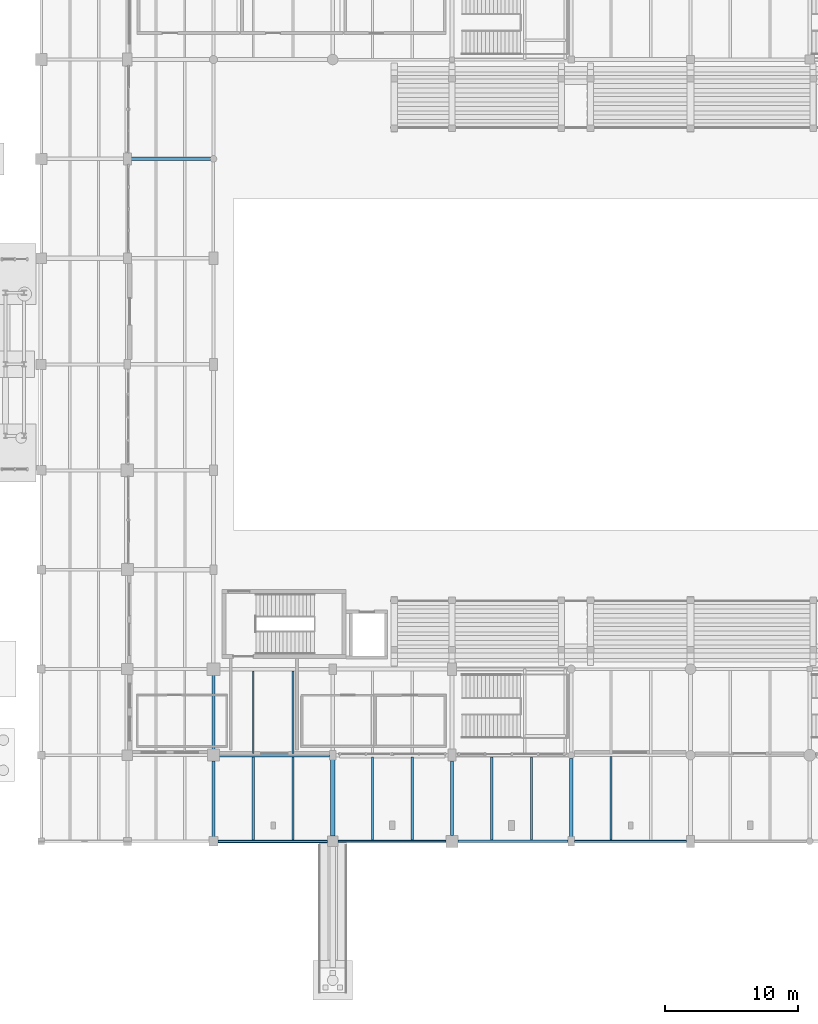
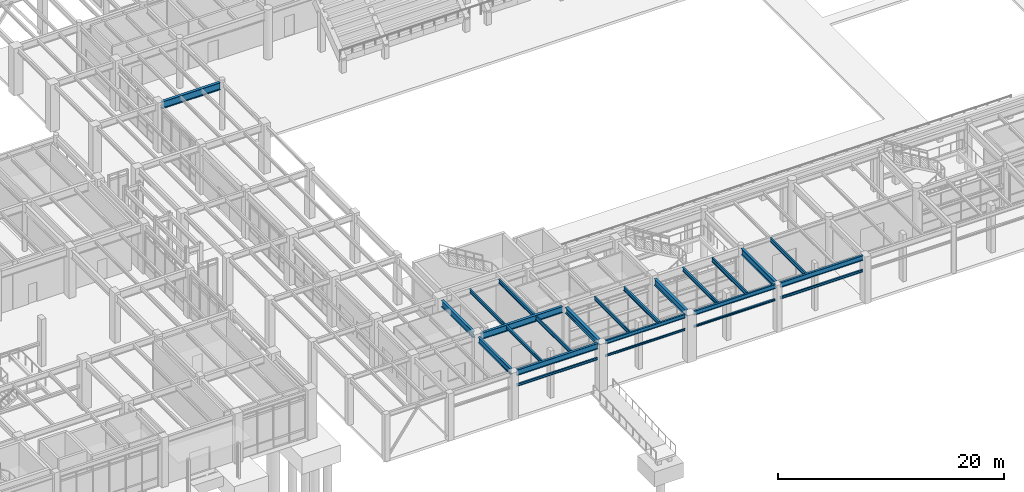
# One storey, part 48 of 203: 24 beams.
"""IFC4 building model written with IfcOpenShell, lengths in metres."""

from ifc_helpers import new_model, si_unit, direction, frame, origin, origin_2d, place, context, subcontext, project, spatial, i_section, extrude, material, material_profile, profile_set, type_object, element, save


model = new_model("IFC4")

# Units and contexts
model_context = context("Model", 3, precision=1e-05, world=origin(), true_north=direction((0.0, 1.0)))
body_context = subcontext(model_context, "Body", "Model", "MODEL_VIEW")
ifc_project = project(units=[si_unit("LENGTHUNIT", "METRE"), si_unit("AREAUNIT", "SQUARE_METRE"), si_unit("VOLUMEUNIT", "CUBIC_METRE"), si_unit("PLANEANGLEUNIT", "RADIAN"), si_unit("MASSUNIT", "GRAM", prefix="KILO"), si_unit("THERMODYNAMICTEMPERATUREUNIT", "KELVIN"), si_unit("POWERUNIT", "WATT")], contexts=[model_context])

# Site, building, storey
site_placement = place(None, origin())
site = spatial("IfcSite", under=ifc_project, at=site_placement, CompositionType="ELEMENT")
building_placement = place(site_placement, origin())
building = spatial("IfcBuilding", under=site, at=building_placement, Name="Tepalcoro Natatorium and Aquatics Centre", CompositionType="ELEMENT")
storey_placement = place(building_placement, origin())
storey = spatial("IfcBuildingStorey", under=building, at=storey_placement, Name="L00", CompositionType="ELEMENT", Elevation=0.0)

# Beams
ifc_material = material(Name="Steel ASTM A992 Grade 50 (Fy 345 MPa)", Category="steel")
ifc_material_profile_1 = material_profile(ifc_material, i_section(OverallWidth=0.324951171875, OverallDepth=0.616943359375, WebThickness=0.013916015625, FlangeThickness=0.02197265625, FilletRadius=0.013916015625, at=origin_2d()), Name="W24X117")
ifc_profile_set_1 = profile_set([ifc_material_profile_1], Name="Steel ASTM A992 Grade 50 (Fy 345 MPa)")
beam_type_1 = type_object("IfcBeamType", Name="BM_W24x117", PredefinedType="BEAM", material=ifc_profile_set_1)
beam_1_placement = place(storey_placement, frame((62.0, 0.385009765625, 4.776611328125), z_axis=(0.0, 1.0, 0.0), x_axis=(-1.0, 0.0, 0.0)))
element("IfcBeam", 1, at=beam_1_placement, inside=storey, type_object=beam_type_1, Name="V1 L00 Grid Girder Y", PredefinedType="BEAM", context=body_context, shape_type="SweptSolid", body=[
    extrude(i_section(OverallWidth=0.324951171875, OverallDepth=0.616943359375, WebThickness=0.013916015625, FlangeThickness=0.02197265625, FilletRadius=0.013916015625, at=origin_2d()), origin(), (0.0, 0.0, 1.0), 5.780029296875),
])
ifc_material_profile_2 = material_profile(ifc_material, i_section(OverallWidth=0.22998046875, OverallDepth=0.616943359375, WebThickness=0.012939453125, FlangeThickness=0.02197265625, FilletRadius=0.013916015625, at=origin_2d()), Name="W24X94")
ifc_profile_set_2 = profile_set([ifc_material_profile_2], Name="Steel ASTM A992 Grade 50 (Fy 345 MPa)")
beam_type_2 = type_object("IfcBeamType", Name="BM_W24x94", PredefinedType="BEAM", material=ifc_profile_set_2)
beam_2_placement = place(storey_placement, frame((53.0, 0.3349609375, 4.776611328125), z_axis=(0.0, 1.0, 0.0), x_axis=(-1.0, 0.0, 0.0)))
element("IfcBeam", 2, at=beam_2_placement, inside=storey, type_object=beam_type_2, Name="V1 L00 Grid Girder Y", PredefinedType="BEAM", context=body_context, shape_type="SweptSolid", body=[
    extrude(i_section(OverallWidth=0.22998046875, OverallDepth=0.616943359375, WebThickness=0.012939453125, FlangeThickness=0.02197265625, FilletRadius=0.013916015625, at=origin_2d()), origin(), (0.0, 0.0, 1.0), 5.72998046875),
])
ifc_material_profile_3 = material_profile(ifc_material, i_section(OverallWidth=0.25390625, OverallDepth=0.68798828125, WebThickness=0.012939453125, FlangeThickness=0.02099609375, FilletRadius=0.013916015625, at=origin_2d()), Name="W27X102")
ifc_profile_set_3 = profile_set([ifc_material_profile_3], Name="Steel ASTM A992 Grade 50 (Fy 345 MPa)")
beam_type_3 = type_object("IfcBeamType", Name="BM_W27x102", PredefinedType="BEAM", material=ifc_profile_set_3)
beam_3_placement = place(storey_placement, frame((53.43505859375, 6.5, 4.740966796875), z_axis=(1.0, 0.0, 0.0), x_axis=(0.0, 1.0, 0.0)))
element("IfcBeam", 3, at=beam_3_placement, inside=storey, type_object=beam_type_3, Name="V1 L00 Grid Girder X", PredefinedType="BEAM", context=body_context, shape_type="SweptSolid", body=[
    extrude(i_section(OverallWidth=0.25390625, OverallDepth=0.68798828125, WebThickness=0.012939453125, FlangeThickness=0.02099609375, FilletRadius=0.013916015625, at=origin_2d()), origin(), (0.0, 0.0, 1.0), 8.329833984375),
])
beam_4_placement = place(storey_placement, frame((53.0, 6.93505859375, 4.781005859375), z_axis=(0.0, 1.0, 0.0), x_axis=(-1.0, 0.0, 0.0)))
element("IfcBeam", 4, at=beam_4_placement, inside=storey, type_object=beam_type_3, Name="V1 L00 Grid Girder Y", PredefinedType="BEAM", context=body_context, shape_type="SweptSolid", body=[
    extrude(i_section(OverallWidth=0.25390625, OverallDepth=0.68798828125, WebThickness=0.012939453125, FlangeThickness=0.02099609375, FilletRadius=0.013916015625, at=origin_2d()), origin(), (0.0, 0.0, 1.0), 5.60498046875),
])
beam_5_placement = place(storey_placement, frame((71.0, 0.43505859375, 4.740966796875), z_axis=(0.0, 1.0, 0.0), x_axis=(-1.0, 0.0, 0.0)))
element("IfcBeam", 5, at=beam_5_placement, inside=storey, type_object=beam_type_3, Name="V1 L00 Grid Girder Y", PredefinedType="BEAM", context=body_context, shape_type="SweptSolid", body=[
    extrude(i_section(OverallWidth=0.25390625, OverallDepth=0.68798828125, WebThickness=0.012939453125, FlangeThickness=0.02099609375, FilletRadius=0.013916015625, at=origin_2d()), origin(), (0.0, 0.0, 1.0), 5.6298828125),
])
ifc_material_profile_4 = material_profile(ifc_material, i_section(OverallWidth=0.25390625, OverallDepth=0.700927734375, WebThickness=0.014892578125, FlangeThickness=0.028076171875, FilletRadius=0.013916015625, at=origin_2d()), Name="W27X129")
ifc_profile_set_4 = profile_set([ifc_material_profile_4], Name="Steel ASTM A992 Grade 50 (Fy 345 MPa)")
beam_type_4 = type_object("IfcBeamType", Name="BM_W27x129", PredefinedType="BEAM", material=ifc_profile_set_4)
beam_6_placement = place(storey_placement, frame((80.0, 0.3349609375, 4.734619140625), z_axis=(0.0, 1.0, 0.0), x_axis=(-1.0, 0.0, 0.0)))
element("IfcBeam", 6, at=beam_6_placement, inside=storey, type_object=beam_type_4, Name="V1 L00 Grid Girder Y", PredefinedType="BEAM", context=body_context, shape_type="SweptSolid", body=[
    extrude(i_section(OverallWidth=0.25390625, OverallDepth=0.700927734375, WebThickness=0.014892578125, FlangeThickness=0.028076171875, FilletRadius=0.013916015625, at=origin_2d()), origin(), (0.0, 0.0, 1.0), 5.929931640625),
])
ifc_material_profile_5 = material_profile(ifc_material, i_section(OverallWidth=0.26708984375, OverallDepth=0.780029296875, WebThickness=0.01708984375, FlangeThickness=0.030029296875, FilletRadius=0.013916015625, at=origin_2d()), Name="W30X148")
ifc_profile_set_5 = profile_set([ifc_material_profile_5], Name="Steel ASTM A992 Grade 50 (Fy 345 MPa)")
beam_type_5 = type_object("IfcBeamType", Name="BM_W30x148", PredefinedType="BEAM", material=ifc_profile_set_5)
beam_7_placement = place(storey_placement, frame((46.784912109375, 51.5, 4.735107421875), z_axis=(1.0, 0.0, 0.0), x_axis=(0.0, 1.0, 0.0)))
element("IfcBeam", 7, at=beam_7_placement, inside=storey, type_object=beam_type_5, Name="V1 L00 Grid Girder X", PredefinedType="BEAM", context=body_context, shape_type="SweptSolid", body=[
    extrude(i_section(OverallWidth=0.26708984375, OverallDepth=0.780029296875, WebThickness=0.01708984375, FlangeThickness=0.030029296875, FilletRadius=0.013916015625, at=origin_2d()), origin(), (0.0, 0.0, 1.0), 5.97998046875),
])
ifc_material_profile_6 = material_profile(ifc_material, i_section(OverallWidth=0.172119140625, OverallDepth=0.35791015625, WebThickness=0.008056640625, FlangeThickness=0.012939453125, FilletRadius=0.013916015625, at=origin_2d()), Name="W14X38")
ifc_profile_set_6 = profile_set([ifc_material_profile_6], Name="Steel ASTM A992 Grade 50 (Fy 345 MPa)")
beam_type_6 = type_object("IfcBeamType", Name="JS_W14x38", PredefinedType="JOIST", material=ifc_profile_set_6)
beam_8_placement = place(storey_placement, frame((56.0, 0.114501953125, 4.906005859375), z_axis=(0.0, 1.0, 0.0), x_axis=(-1.0, 0.0, 0.0)))
element("IfcBeam", 8, at=beam_8_placement, inside=storey, type_object=beam_type_6, Name="V1 L00 Floor Joist", PredefinedType="JOIST", context=body_context, shape_type="SweptSolid", body=[
    extrude(i_section(OverallWidth=0.172119140625, OverallDepth=0.35791015625, WebThickness=0.008056640625, FlangeThickness=0.012939453125, FilletRadius=0.013916015625, at=origin_2d()), origin(), (0.0, 0.0, 1.0), 6.258544921875),
])
ifc_material_profile_7 = material_profile(ifc_material, i_section(OverallWidth=0.139892578125, OverallDepth=0.404052734375, WebThickness=0.007080078125, FlangeThickness=0.010986328125, FilletRadius=0.013916015625, at=origin_2d()), Name="W16X31")
ifc_profile_set_7 = profile_set([ifc_material_profile_7], Name="Steel ASTM A992 Grade 50 (Fy 345 MPa)")
beam_type_7 = type_object("IfcBeamType", Name="JS_W16x31", PredefinedType="JOIST", material=ifc_profile_set_7)
beam_9_placement = place(storey_placement, frame((59.0, 0.114501953125, 4.883056640625), z_axis=(0.0, 1.0, 0.0), x_axis=(-1.0, 0.0, 0.0)))
element("IfcBeam", 9, at=beam_9_placement, inside=storey, type_object=beam_type_7, Name="V1 L00 Floor Joist", PredefinedType="JOIST", context=body_context, shape_type="SweptSolid", body=[
    extrude(i_section(OverallWidth=0.139892578125, OverallDepth=0.404052734375, WebThickness=0.007080078125, FlangeThickness=0.010986328125, FilletRadius=0.013916015625, at=origin_2d()), origin(), (0.0, 0.0, 1.0), 6.258544921875),
])
beam_10_placement = place(storey_placement, frame((56.0, 6.626953125, 4.883056640625), z_axis=(0.0, 1.0, 0.0), x_axis=(-1.0, 0.0, 0.0)))
element("IfcBeam", 10, at=beam_10_placement, inside=storey, type_object=beam_type_7, Name="V1 L00 Floor Joist", PredefinedType="JOIST", context=body_context, shape_type="SweptSolid", body=[
    extrude(i_section(OverallWidth=0.139892578125, OverallDepth=0.404052734375, WebThickness=0.007080078125, FlangeThickness=0.010986328125, FilletRadius=0.013916015625, at=origin_2d()), origin(), (0.0, 0.0, 1.0), 6.24609375),
])
beam_11_placement = place(storey_placement, frame((65.0, 0.090087890625, 4.883056640625), z_axis=(0.0, 1.0, 0.0), x_axis=(-1.0, 0.0, 0.0)))
element("IfcBeam", 11, at=beam_11_placement, inside=storey, type_object=beam_type_7, Name="V1 L00 Floor Joist", PredefinedType="JOIST", context=body_context, shape_type="SweptSolid", body=[
    extrude(i_section(OverallWidth=0.139892578125, OverallDepth=0.404052734375, WebThickness=0.007080078125, FlangeThickness=0.010986328125, FilletRadius=0.013916015625, at=origin_2d()), origin(), (0.0, 0.0, 1.0), 6.2763671875),
])
ifc_material_profile_8 = material_profile(ifc_material, i_section(OverallWidth=0.178955078125, OverallDepth=0.409912109375, WebThickness=0.009033203125, FlangeThickness=0.013916015625, FilletRadius=0.013916015625, at=origin_2d()), Name="W16X45")
ifc_profile_set_8 = profile_set([ifc_material_profile_8], Name="Steel ASTM A992 Grade 50 (Fy 345 MPa)")
beam_type_8 = type_object("IfcBeamType", Name="JS_W16x45", PredefinedType="JOIST", material=ifc_profile_set_8)
beam_12_placement = place(storey_placement, frame((59.0, 6.626953125, 4.8798828125), z_axis=(0.0, 1.0, 0.0), x_axis=(-1.0, 0.0, 0.0)))
element("IfcBeam", 12, at=beam_12_placement, inside=storey, type_object=beam_type_8, Name="V1 L00 Floor Joist", PredefinedType="JOIST", context=body_context, shape_type="SweptSolid", body=[
    extrude(i_section(OverallWidth=0.178955078125, OverallDepth=0.409912109375, WebThickness=0.009033203125, FlangeThickness=0.013916015625, FilletRadius=0.013916015625, at=origin_2d()), origin(), (0.0, 0.0, 1.0), 6.24609375),
])
beam_13_placement = place(storey_placement, frame((68.0, 0.090087890625, 4.8798828125), z_axis=(0.0, 1.0, 0.0), x_axis=(-1.0, 0.0, 0.0)))
element("IfcBeam", 13, at=beam_13_placement, inside=storey, type_object=beam_type_8, Name="V1 L00 Floor Joist", PredefinedType="JOIST", context=body_context, shape_type="SweptSolid", body=[
    extrude(i_section(OverallWidth=0.178955078125, OverallDepth=0.409912109375, WebThickness=0.009033203125, FlangeThickness=0.013916015625, FilletRadius=0.013916015625, at=origin_2d()), origin(), (0.0, 0.0, 1.0), 6.2763671875),
])
beam_14_placement = place(storey_placement, frame((74.0, 0.095458984375, 4.8798828125), z_axis=(0.0, 1.0, 0.0), x_axis=(-1.0, 0.0, 0.0)))
element("IfcBeam", 14, at=beam_14_placement, inside=storey, type_object=beam_type_8, Name="V1 L00 Floor Joist", PredefinedType="JOIST", context=body_context, shape_type="SweptSolid", body=[
    extrude(i_section(OverallWidth=0.178955078125, OverallDepth=0.409912109375, WebThickness=0.009033203125, FlangeThickness=0.013916015625, FilletRadius=0.013916015625, at=origin_2d()), origin(), (0.0, 0.0, 1.0), 6.251953125),
])
ifc_material_profile_9 = material_profile(ifc_material, i_section(OverallWidth=0.153076171875, OverallDepth=0.455078125, WebThickness=0.008056640625, FlangeThickness=0.012939453125, FilletRadius=0.013916015625, at=origin_2d()), Name="W18X40")
ifc_profile_set_9 = profile_set([ifc_material_profile_9], Name="Steel ASTM A992 Grade 50 (Fy 345 MPa)")
beam_type_9 = type_object("IfcBeamType", Name="JS_W18x40", PredefinedType="JOIST", material=ifc_profile_set_9)
beam_15_placement = place(storey_placement, frame((77.0, 0.095458984375, 4.857421875), z_axis=(0.0, 1.0, 0.0), x_axis=(-1.0, 0.0, 0.0)))
element("IfcBeam", 15, at=beam_15_placement, inside=storey, type_object=beam_type_9, Name="V1 L00 Floor Joist", PredefinedType="JOIST", context=body_context, shape_type="SweptSolid", body=[
    extrude(i_section(OverallWidth=0.153076171875, OverallDepth=0.455078125, WebThickness=0.008056640625, FlangeThickness=0.012939453125, FilletRadius=0.013916015625, at=origin_2d()), origin(), (0.0, 0.0, 1.0), 6.251953125),
])
beam_16_placement = place(storey_placement, frame((83.0, 0.10498046875, 4.857421875), z_axis=(0.0, 1.0, 0.0), x_axis=(-1.0, 0.0, 0.0)))
element("IfcBeam", 16, at=beam_16_placement, inside=storey, type_object=beam_type_9, Name="V1 L00 Floor Joist", PredefinedType="JOIST", context=body_context, shape_type="SweptSolid", body=[
    extrude(i_section(OverallWidth=0.153076171875, OverallDepth=0.455078125, WebThickness=0.008056640625, FlangeThickness=0.012939453125, FilletRadius=0.013916015625, at=origin_2d()), origin(), (0.0, 0.0, 1.0), 6.305908203125),
])
ifc_material_profile_10 = material_profile(ifc_material, i_section(OverallWidth=0.133056640625, OverallDepth=0.20703125, WebThickness=0.006103515625, FlangeThickness=0.008056640625, FilletRadius=0.013916015625, at=origin_2d()), Name="W8X18")
ifc_profile_set_10 = profile_set([ifc_material_profile_10], Name="Steel ASTM A992 Grade 50 (Fy 345 MPa)")
beam_type_10 = type_object("IfcBeamType", Name="LN_HSS150x100x8", PredefinedType="LINTEL", material=ifc_profile_set_10)
beam_17_placement = place(storey_placement, frame((62.385009765625, 0.0, 3.39990234375), z_axis=(1.0, 0.0, 0.0), x_axis=(0.0, 1.0, 0.0)))
element("IfcBeam", 17, at=beam_17_placement, inside=storey, type_object=beam_type_10, Name="Colonnade Portico Architrave Lintel", PredefinedType="LINTEL", context=body_context, shape_type="SweptSolid", body=[
    extrude(i_section(OverallWidth=0.133056640625, OverallDepth=0.20703125, WebThickness=0.006103515625, FlangeThickness=0.008056640625, FilletRadius=0.013916015625, at=origin_2d()), origin(), (0.0, 0.0, 1.0), 8.179931640625),
])
ifc_material_profile_11 = material_profile(ifc_material, i_section(OverallWidth=0.1650390625, OverallDepth=0.200927734375, WebThickness=0.006103515625, FlangeThickness=0.010009765625, FilletRadius=0.013916015625, at=origin_2d()), Name="W8X24")
ifc_profile_set_11 = profile_set([ifc_material_profile_11], Name="Steel ASTM A992 Grade 50 (Fy 345 MPa)")
beam_type_11 = type_object("IfcBeamType", Name="LN_HSS200x120x10", PredefinedType="LINTEL", material=ifc_profile_set_11)
beam_18_placement = place(storey_placement, frame((71.43505859375, 0.0, 3.39990234375), z_axis=(1.0, 0.0, 0.0), x_axis=(0.0, 1.0, 0.0)))
element("IfcBeam", 18, at=beam_18_placement, inside=storey, type_object=beam_type_11, Name="Colonnade Portico Architrave Lintel", PredefinedType="LINTEL", context=body_context, shape_type="SweptSolid", body=[
    extrude(i_section(OverallWidth=0.1650390625, OverallDepth=0.200927734375, WebThickness=0.006103515625, FlangeThickness=0.010009765625, FilletRadius=0.013916015625, at=origin_2d()), origin(), (0.0, 0.0, 1.0), 8.329833984375),
])
ifc_material_profile_12 = material_profile(ifc_material, i_section(OverallWidth=0.14599609375, OverallDepth=0.259033203125, WebThickness=0.006103515625, FlangeThickness=0.009033203125, FilletRadius=0.013916015625, at=origin_2d()), Name="W10X22")
ifc_profile_set_12 = profile_set([ifc_material_profile_12], Name="Steel ASTM A992 Grade 50 (Fy 345 MPa)")
beam_type_12 = type_object("IfcBeamType", Name="LN_W10x22", PredefinedType="LINTEL", material=ifc_profile_set_12)
beam_19_placement = place(storey_placement, frame((53.3349609375, 0.0, 3.39990234375), z_axis=(1.0, 0.0, 0.0), x_axis=(0.0, 1.0, 0.0)))
element("IfcBeam", 19, at=beam_19_placement, inside=storey, type_object=beam_type_12, Name="Colonnade Portico Architrave Lintel", PredefinedType="LINTEL", context=body_context, shape_type="SweptSolid", body=[
    extrude(i_section(OverallWidth=0.14599609375, OverallDepth=0.259033203125, WebThickness=0.006103515625, FlangeThickness=0.009033203125, FilletRadius=0.013916015625, at=origin_2d()), origin(), (0.0, 0.0, 1.0), 8.280029296875),
])
beam_20_placement = place(storey_placement, frame((80.235107421875, 0.0, 3.39990234375), z_axis=(1.0, 0.0, 0.0), x_axis=(0.0, 1.0, 0.0)))
element("IfcBeam", 20, at=beam_20_placement, inside=storey, type_object=beam_type_12, Name="Colonnade Portico Architrave Lintel", PredefinedType="LINTEL", context=body_context, shape_type="SweptSolid", body=[
    extrude(i_section(OverallWidth=0.14599609375, OverallDepth=0.259033203125, WebThickness=0.006103515625, FlangeThickness=0.009033203125, FilletRadius=0.013916015625, at=origin_2d()), origin(), (0.0, 0.0, 1.0), 8.47998046875),
])
ifc_material_profile_13 = material_profile(ifc_material, i_section(OverallWidth=0.179931640625, OverallDepth=0.4130859375, WebThickness=0.010009765625, FlangeThickness=0.01611328125, FilletRadius=0.013916015625, at=origin_2d()), Name="W16X50")
ifc_profile_set_13 = profile_set([ifc_material_profile_13], Name="Steel ASTM A992 Grade 50 (Fy 345 MPa)")
beam_type_13 = type_object("IfcBeamType", Name="SP_HSS300x200x12", PredefinedType="SPANDREL", material=ifc_profile_set_13)
beam_21_placement = place(storey_placement, frame((62.385009765625, 0.0, 4.87841796875), z_axis=(1.0, 0.0, 0.0), x_axis=(0.0, 1.0, 0.0)))
element("IfcBeam", 21, at=beam_21_placement, inside=storey, type_object=beam_type_13, Name="V1 L00 Grid Girder X", PredefinedType="SPANDREL", context=body_context, shape_type="SweptSolid", body=[
    extrude(i_section(OverallWidth=0.179931640625, OverallDepth=0.4130859375, WebThickness=0.010009765625, FlangeThickness=0.01611328125, FilletRadius=0.013916015625, at=origin_2d()), origin(), (0.0, 0.0, 1.0), 8.179931640625),
])
ifc_material_profile_14 = material_profile(ifc_material, i_section(OverallWidth=0.19091796875, OverallDepth=0.4599609375, WebThickness=0.010009765625, FlangeThickness=0.01611328125, FilletRadius=0.013916015625, at=origin_2d()), Name="W18X55")
ifc_profile_set_14 = profile_set([ifc_material_profile_14], Name="Steel ASTM A992 Grade 50 (Fy 345 MPa)")
beam_type_14 = type_object("IfcBeamType", Name="SP_W18x55", PredefinedType="SPANDREL", material=ifc_profile_set_14)
beam_22_placement = place(storey_placement, frame((71.43505859375, 0.0, 4.85498046875), z_axis=(1.0, 0.0, 0.0), x_axis=(0.0, 1.0, 0.0)))
element("IfcBeam", 22, at=beam_22_placement, inside=storey, type_object=beam_type_14, Name="V1 L00 Grid Girder X", PredefinedType="SPANDREL", context=body_context, shape_type="SweptSolid", body=[
    extrude(i_section(OverallWidth=0.19091796875, OverallDepth=0.4599609375, WebThickness=0.010009765625, FlangeThickness=0.01611328125, FilletRadius=0.013916015625, at=origin_2d()), origin(), (0.0, 0.0, 1.0), 8.329833984375),
])
ifc_material_profile_15 = material_profile(ifc_material, i_section(OverallWidth=0.2099609375, OverallDepth=0.535888671875, WebThickness=0.010986328125, FlangeThickness=0.01708984375, FilletRadius=0.013916015625, at=origin_2d()), Name="W21X68")
ifc_profile_set_15 = profile_set([ifc_material_profile_15], Name="Steel ASTM A992 Grade 50 (Fy 345 MPa)")
beam_type_15 = type_object("IfcBeamType", Name="SP_W21x68", PredefinedType="SPANDREL", material=ifc_profile_set_15)
beam_23_placement = place(storey_placement, frame((80.235107421875, 0.0, 4.81689453125), z_axis=(1.0, 0.0, 0.0), x_axis=(0.0, 1.0, 0.0)))
element("IfcBeam", 23, at=beam_23_placement, inside=storey, type_object=beam_type_15, Name="V1 L00 Grid Girder X", PredefinedType="SPANDREL", context=body_context, shape_type="SweptSolid", body=[
    extrude(i_section(OverallWidth=0.2099609375, OverallDepth=0.535888671875, WebThickness=0.010986328125, FlangeThickness=0.01708984375, FilletRadius=0.013916015625, at=origin_2d()), origin(), (0.0, 0.0, 1.0), 8.47998046875),
])
ifc_material_profile_16 = material_profile(ifc_material, i_section(OverallWidth=0.22900390625, OverallDepth=0.612060546875, WebThickness=0.011962890625, FlangeThickness=0.02001953125, FilletRadius=0.013916015625, at=origin_2d()), Name="W24X84")
ifc_profile_set_16 = profile_set([ifc_material_profile_16], Name="Steel ASTM A992 Grade 50 (Fy 345 MPa)")
beam_type_16 = type_object("IfcBeamType", Name="SP_W24x84", PredefinedType="SPANDREL", material=ifc_profile_set_16)
beam_24_placement = place(storey_placement, frame((53.3349609375, 0.0, 4.779052734375), z_axis=(1.0, 0.0, 0.0), x_axis=(0.0, 1.0, 0.0)))
element("IfcBeam", 24, at=beam_24_placement, inside=storey, type_object=beam_type_16, Name="V1 L00 Grid Girder X", PredefinedType="SPANDREL", context=body_context, shape_type="SweptSolid", body=[
    extrude(i_section(OverallWidth=0.22900390625, OverallDepth=0.612060546875, WebThickness=0.011962890625, FlangeThickness=0.02001953125, FilletRadius=0.013916015625, at=origin_2d()), origin(), (0.0, 0.0, 1.0), 8.280029296875),
])

save(model, "model.ifc")
